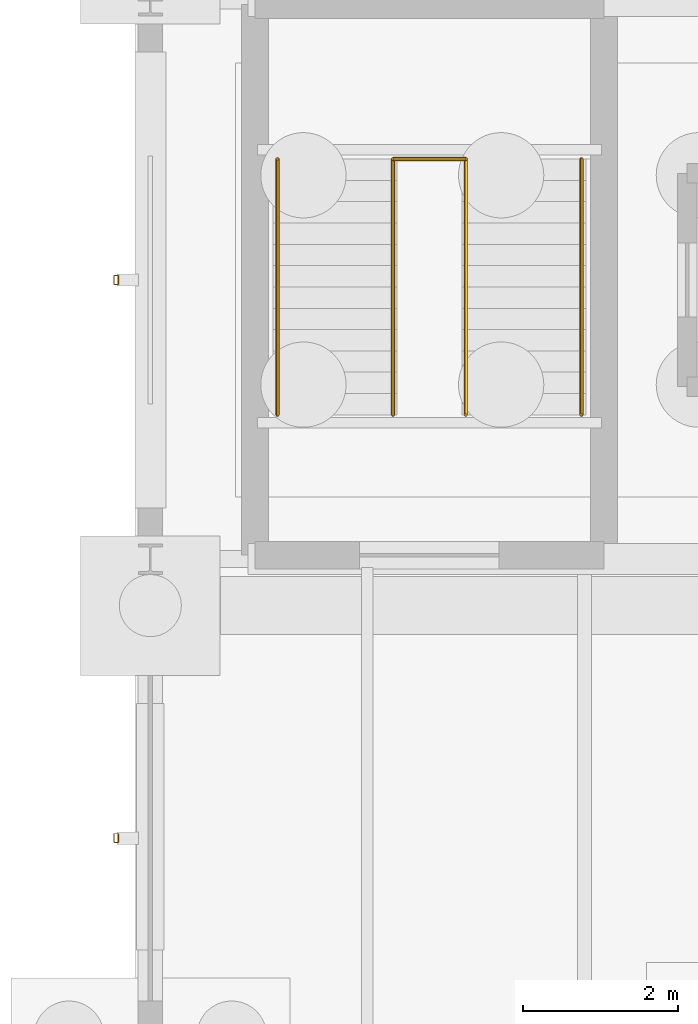
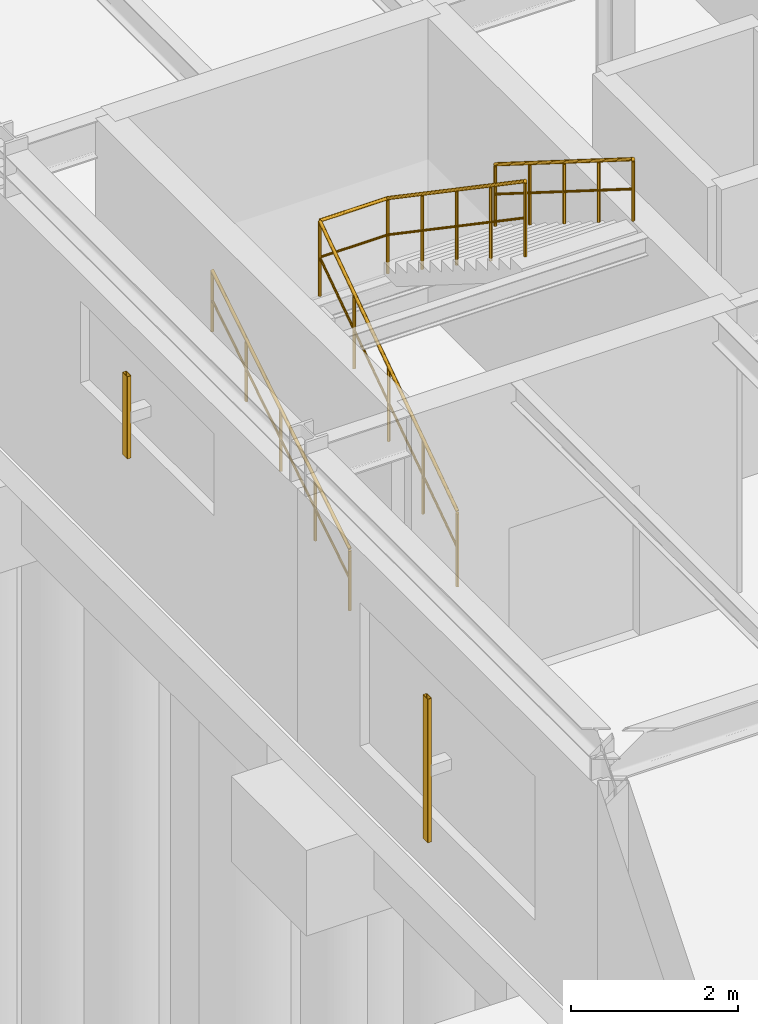
# One storey, part 90 of 93: 5 railings, 2 shading devices.
"""IFC4 building model written with IfcOpenShell, lengths in metres."""

from ifc_helpers import new_model, si_unit, derived_unit, direction, frame, origin, origin_2d, place, context, subcontext, project, spatial, hollow_rectangle, circle, extrude, material, material_profile, profile_set, type_object, element, save


model = new_model("IFC4")

# Units and contexts
model_context = context("Model", 3, precision=1e-05, world=origin(), true_north=direction((0.0, 1.0)))
body_context = subcontext(model_context, "Body", "Model", "MODEL_VIEW")
ifc_project = project(units=[si_unit("LENGTHUNIT", "METRE"), si_unit("AREAUNIT", "SQUARE_METRE"), si_unit("VOLUMEUNIT", "CUBIC_METRE"), si_unit("PLANEANGLEUNIT", "RADIAN"), si_unit("MASSUNIT", "GRAM", prefix="KILO"), derived_unit("THERMALTRANSMITTANCEUNIT", [(si_unit("MASSUNIT", "GRAM", prefix="KILO"), 1), (si_unit("TIMEUNIT", "SECOND"), -3), (si_unit("THERMODYNAMICTEMPERATUREUNIT", "KELVIN"), -1)])], contexts=[model_context])

# Site, building, storey
site_placement = place(None, origin())
site = spatial("IfcSite", under=ifc_project, at=site_placement, CompositionType="ELEMENT")
building_placement = place(site_placement, origin())
building = spatial("IfcBuilding", under=site, at=building_placement, Name="Kharveza Railside Sports Centre", CompositionType="ELEMENT")
storey_placement = place(building_placement, origin())
storey = spatial("IfcBuildingStorey", under=building, at=storey_placement, Name="L00", CompositionType="ELEMENT", Elevation=0.0)

# Railings
ifc_material_1 = material(Name="Steel S275JR", Category="steel")
railing_type_1 = type_object("IfcRailingType", Name="RL-GD110", PredefinedType="GUARDRAIL", material=ifc_material_1)
railing_1_placement = place(storey_placement, frame((145.929931640625, 59.4599609375, 0.0)))
element("IfcRailing", 1, at=railing_1_placement, inside=storey, type_object=railing_type_1, Name="STR-ST2-L00-GD1", PredefinedType="GUARDRAIL", context=body_context, shape_type="SweptSolid", body=[
    extrude(circle(Radius=0.02392578125, at=origin_2d()), frame((0.0, 0.0, 1.09619140625), z_axis=(0.0, 0.826231222393, 0.56333113454), x_axis=(-1.0, 0.0, 0.0)), (0.0, 0.0, 1.0), 3.994140625),
    extrude(circle(Radius=0.01611328125, at=origin_2d()), frame((0.0, 0.0, 0.56005859375), z_axis=(0.0, 0.826231222393, 0.56333113454), x_axis=(-1.0, 0.0, 0.0)), (0.0, 0.0, 1.0), 3.994140625),
    extrude(circle(Radius=0.02099609375, at=origin_2d()), origin(), (0.0, 0.0, 1.0), 1.072021484375),
    extrude(circle(Radius=0.02099609375, at=origin_2d()), frame((0.0, 0.824951171875, 0.5625)), (0.0, 0.0, 1.0), 1.072021484375),
    extrude(circle(Radius=0.02099609375, at=origin_2d()), frame((0.0, 1.64990234375, 1.125)), (0.0, 0.0, 1.0), 1.072021484375),
    extrude(circle(Radius=0.02099609375, at=origin_2d()), frame((0.0, 2.47509765625, 1.6875)), (0.0, 0.0, 1.0), 1.072021484375),
    extrude(circle(Radius=0.02099609375, at=origin_2d()), frame((0.0, 3.300048828125, 2.25)), (0.0, 0.0, 1.0), 1.072021484375),
])
railing_2_placement = place(storey_placement, frame((146.8701171875, 62.760009765625, 2.25)))
element("IfcRailing", 2, at=railing_2_placement, inside=storey, type_object=railing_type_1, Name="STR-ST2-L00-GD2", PredefinedType="GUARDRAIL", context=body_context, shape_type="SweptSolid", body=[
    extrude(circle(Radius=0.02392578125, at=origin_2d()), frame((0.0, 0.0, 1.09619140625), z_axis=(0.0, -0.826231222393, 0.56333113454), x_axis=(1.0, 0.0, 0.0)), (0.0, 0.0, 1.0), 3.994140625),
    extrude(circle(Radius=0.01611328125, at=origin_2d()), frame((0.0, 0.0, 0.56005859375), z_axis=(0.0, -0.826231222393, 0.56333113454), x_axis=(1.0, 0.0, 0.0)), (0.0, 0.0, 1.0), 3.994140625),
    extrude(circle(Radius=0.02099609375, at=origin_2d()), origin(), (0.0, 0.0, 1.0), 1.072021484375),
    extrude(circle(Radius=0.02099609375, at=origin_2d()), frame((0.0, -0.824951171875, 0.5625)), (0.0, 0.0, 1.0), 1.072021484375),
    extrude(circle(Radius=0.02099609375, at=origin_2d()), frame((0.0, -1.64990234375, 1.125)), (0.0, 0.0, 1.0), 1.072021484375),
    extrude(circle(Radius=0.02099609375, at=origin_2d()), frame((0.0, -2.47509765625, 1.6875)), (0.0, 0.0, 1.0), 1.072021484375),
    extrude(circle(Radius=0.02099609375, at=origin_2d()), frame((0.0, -3.300048828125, 2.25)), (0.0, 0.0, 1.0), 1.072021484375),
])
railing_3_placement = place(storey_placement, frame((145.929931640625, 62.760009765625, 2.25)))
element("IfcRailing", 3, at=railing_3_placement, inside=storey, type_object=railing_type_1, Name="STR-ST2-L00-GDH", PredefinedType="GUARDRAIL", context=body_context, shape_type="SweptSolid", body=[
    extrude(circle(Radius=0.02392578125, at=origin_2d()), frame((0.0, 0.0, 1.09619140625), z_axis=(1.0, 0.0, 0.0), x_axis=(0.0, 1.0, 0.0)), (0.0, 0.0, 1.0), 0.940185546875),
    extrude(circle(Radius=0.01611328125, at=origin_2d()), frame((0.0, 0.0, 0.56005859375), z_axis=(1.0, 0.0, 0.0), x_axis=(0.0, 1.0, 0.0)), (0.0, 0.0, 1.0), 0.940185546875),
    extrude(circle(Radius=0.02099609375, at=origin_2d()), origin(), (0.0, 0.0, 1.0), 1.072021484375),
    extrude(circle(Radius=0.02099609375, at=origin_2d()), frame((0.940185546875, 0.0, 0.0)), (0.0, 0.0, 1.0), 1.072021484375),
])
railing_type_2 = type_object("IfcRailingType", Name="RL-HR092", PredefinedType="HANDRAIL", material=ifc_material_1)
railing_4_placement = place(storey_placement, frame((144.43994140625, 59.4599609375, 0.173095703125)))
element("IfcRailing", 4, at=railing_4_placement, inside=storey, type_object=railing_type_2, Name="STR-ST2-L00-HR1", PredefinedType="HANDRAIL", context=body_context, shape_type="SweptSolid", body=[
    extrude(circle(Radius=0.02392578125, at=origin_2d()), frame((0.0, 0.0, 0.89599609375), z_axis=(0.0, 0.846337383501, 0.532647194011), x_axis=(-1.0, 0.0, 0.0)), (0.0, 0.0, 1.0), 3.899169921875),
    extrude(circle(Radius=0.01611328125, at=origin_2d()), frame((0.0, 0.0, 0.4599609375), z_axis=(0.0, 0.846337383501, 0.532647194011), x_axis=(-1.0, 0.0, 0.0)), (0.0, 0.0, 1.0), 3.899169921875),
    extrude(circle(Radius=0.02099609375, at=origin_2d()), origin(), (0.0, 0.0, 1.0), 0.871826171875),
    extrude(circle(Radius=0.02099609375, at=origin_2d()), frame((0.0, 0.824951171875, 0.519287109375)), (0.0, 0.0, 1.0), 0.871826171875),
    extrude(circle(Radius=0.02099609375, at=origin_2d()), frame((0.0, 1.64990234375, 1.03857421875)), (0.0, 0.0, 1.0), 0.871826171875),
    extrude(circle(Radius=0.02099609375, at=origin_2d()), frame((0.0, 2.47509765625, 1.5576171875)), (0.0, 0.0, 1.0), 0.871826171875),
    extrude(circle(Radius=0.02099609375, at=origin_2d()), frame((0.0, 3.300048828125, 2.076904296875)), (0.0, 0.0, 1.0), 0.871826171875),
])
railing_5_placement = place(storey_placement, frame((148.360107421875, 62.760009765625, 2.423095703125)))
element("IfcRailing", 5, at=railing_5_placement, inside=storey, type_object=railing_type_2, Name="STR-ST2-L00-HR2", PredefinedType="HANDRAIL", context=body_context, shape_type="SweptSolid", body=[
    extrude(circle(Radius=0.02392578125, at=origin_2d()), frame((0.0, 0.0, 0.89599609375), z_axis=(0.0, -0.846337383501, 0.532647194011), x_axis=(1.0, 0.0, 0.0)), (0.0, 0.0, 1.0), 3.899169921875),
    extrude(circle(Radius=0.01611328125, at=origin_2d()), frame((0.0, 0.0, 0.4599609375), z_axis=(0.0, -0.846337383501, 0.532647194011), x_axis=(1.0, 0.0, 0.0)), (0.0, 0.0, 1.0), 3.899169921875),
    extrude(circle(Radius=0.02099609375, at=origin_2d()), origin(), (0.0, 0.0, 1.0), 0.871826171875),
    extrude(circle(Radius=0.02099609375, at=origin_2d()), frame((0.0, -0.824951171875, 0.519287109375)), (0.0, 0.0, 1.0), 0.871826171875),
    extrude(circle(Radius=0.02099609375, at=origin_2d()), frame((0.0, -1.64990234375, 1.03857421875)), (0.0, 0.0, 1.0), 0.871826171875),
    extrude(circle(Radius=0.02099609375, at=origin_2d()), frame((0.0, -2.47509765625, 1.5576171875)), (0.0, 0.0, 1.0), 0.871826171875),
    extrude(circle(Radius=0.02099609375, at=origin_2d()), frame((0.0, -3.300048828125, 2.076904296875)), (0.0, 0.0, 1.0), 0.871826171875),
])

# Shading devices
ifc_material_2 = material(Name="Anodised aluminium 6063-T6", Category="aluminium")
ifc_material_profile = material_profile(ifc_material_2, hollow_rectangle(XDim=0.06005859375, YDim=0.1201171875, WallThickness=0.0048828125, InnerFilletRadius=0.0048828125, OuterFilletRadius=0.010009765625, at=origin_2d()), Name="RHS 60x120x5.0")
ifc_profile_set = profile_set([ifc_material_profile], Name="Anodised aluminium 6063-T6")
shading_device_type = type_object("IfcShadingDeviceType", Name="SD-LV01", PredefinedType="JALOUSIE", material=ifc_profile_set)
shading_device_1_placement = place(storey_placement, frame((142.360107421875, 61.199951171875, 2.10009765625), z_axis=(0.0, 0.0, 1.0), x_axis=(-1.0, 0.0, 0.0)))
element("IfcShadingDevice", 6, at=shading_device_1_placement, inside=storey, type_object=shading_device_type, Name="SD-FIN-004", PredefinedType="JALOUSIE", context=body_context, shape_type="SweptSolid", body=[
    extrude(hollow_rectangle(XDim=0.06005859375, YDim=0.1201171875, WallThickness=0.0048828125, InnerFilletRadius=0.0048828125, OuterFilletRadius=0.010009765625, at=origin_2d()), origin(), (0.0, 0.0, 1.0), 1.199951171875),
])
shading_device_2_placement = place(storey_placement, frame((142.360107421875, 54.0, 0.85009765625), z_axis=(0.0, 0.0, 1.0), x_axis=(-1.0, 0.0, 0.0)))
element("IfcShadingDevice", 7, at=shading_device_2_placement, inside=storey, type_object=shading_device_type, Name="SD-FIN-005", PredefinedType="JALOUSIE", context=body_context, shape_type="SweptSolid", body=[
    extrude(hollow_rectangle(XDim=0.06005859375, YDim=0.1201171875, WallThickness=0.0048828125, InnerFilletRadius=0.0048828125, OuterFilletRadius=0.010009765625, at=origin_2d()), origin(), (0.0, 0.0, 1.0), 2.099853515625),
])

save(model, "model.ifc")
